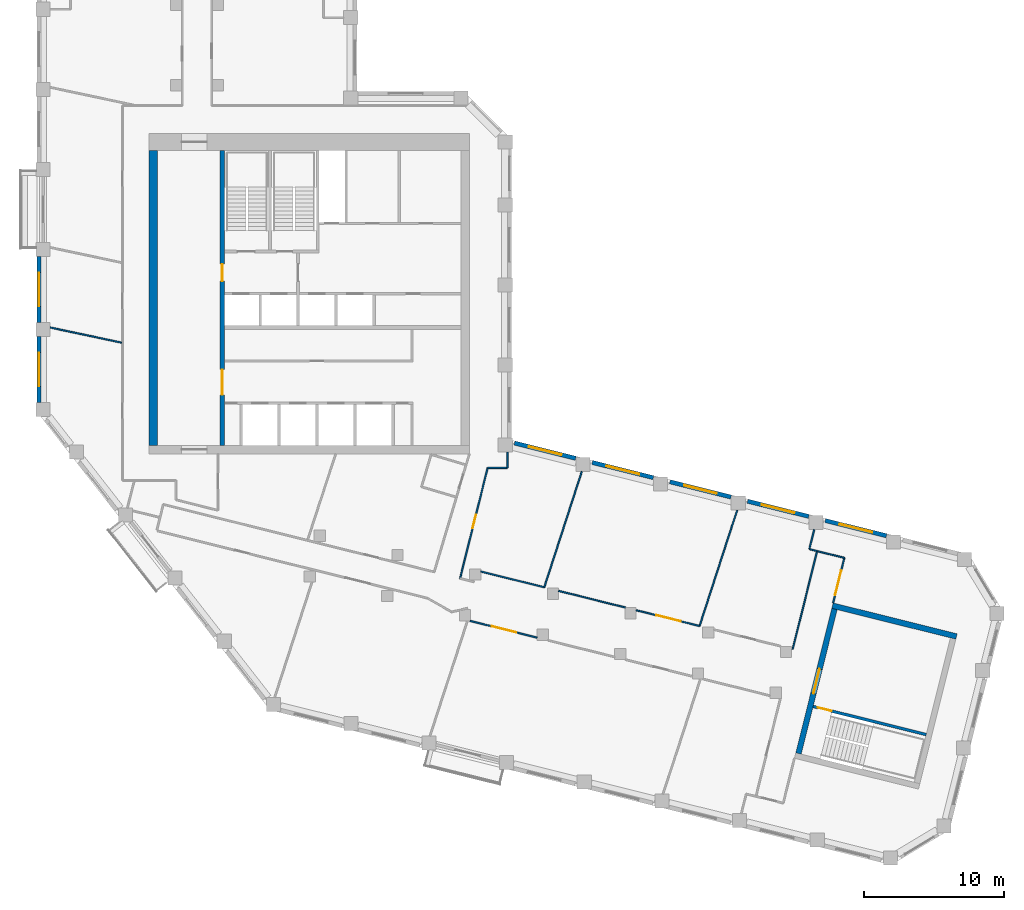
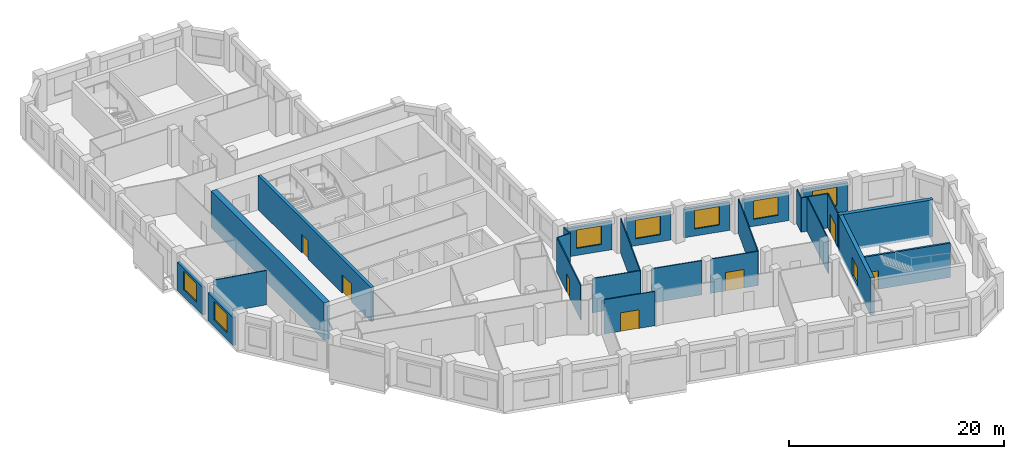
# One storey, part 4 of 9: 27 walls, 8 doors, 7 windows, 15 openings.
"""IFC4 building model written with IfcOpenShell, lengths in metres."""

from ifc_helpers import new_model, si_unit, direction, frame, frame_2d, origin, place, context, subcontext, project, spatial, rectangle, extrude, material, layer, layer_set, type_object, element, fill, save


model = new_model("IFC4")

# Units and contexts
model_context = context("Model", 3, precision=1e-05, world=origin(), true_north=direction((0.0, 1.0)))
body_context = subcontext(model_context, "Body", "Model", "MODEL_VIEW")
ifc_project = project(units=[si_unit("LENGTHUNIT", "METRE"), si_unit("AREAUNIT", "SQUARE_METRE"), si_unit("VOLUMEUNIT", "CUBIC_METRE"), si_unit("PLANEANGLEUNIT", "RADIAN"), si_unit("MASSUNIT", "GRAM", prefix="KILO")], contexts=[model_context])

# Site, building, storey
site_placement = place(None, origin())
site = spatial("IfcSite", under=ifc_project, at=site_placement, CompositionType="ELEMENT")
building_placement = place(site_placement, origin())
building = spatial("IfcBuilding", under=site, at=building_placement, Name="Meshkara Civic Tower", CompositionType="ELEMENT")
storey_placement = place(building_placement, frame((0.0, 0.0, 336.0)))
storey = spatial("IfcBuildingStorey", under=building, at=storey_placement, Name="L77", CompositionType="ELEMENT", Elevation=336.0)

# Wall
ifc_material_1 = material(Name="Concrete C60", Category="concrete")
ifc_layer_1 = layer(ifc_material_1, 0.60009765625)
ifc_layer_set_1 = layer_set([ifc_layer_1], Name="Core ring wall 600 C60")
wall_type_1 = type_object("IfcWallType", Name="Core ring wall 600 C60", PredefinedType="SHEAR", material=ifc_layer_set_1)
wall_1_placement = place(storey_placement, frame((8.300048828125, 14.699951171875, -0.300048828125), z_axis=(0.0, 0.0, 1.0), x_axis=(0.0, 1.0, 0.0)))
element("IfcWall", 1, at=wall_1_placement, inside=storey, type_object=wall_type_1, Name="L77-C003", PredefinedType="SHEAR", context=body_context, shape_type="SweptSolid", body=[
    extrude(rectangle(XDim=21.0, YDim=0.60009765625, at=frame_2d((10.5, 0.0))), origin(), (0.0, 0.0, 1.0), 4.199951171875),
])

# Wall, openings, doors
ifc_material_2 = material(Name="Concrete C60", Category="concrete")
ifc_layer_2 = layer(ifc_material_2, 0.300048828125)
ifc_layer_set_2 = layer_set([ifc_layer_2], Name="Core shear wall 300 C60")
wall_type_2 = type_object("IfcWallType", Name="Core shear wall 300 C60", PredefinedType="SHEAR", material=ifc_layer_set_2)
wall_2_placement = place(storey_placement, frame((13.199951171875, 14.699951171875, 0.0), z_axis=(0.0, 0.0, 1.0), x_axis=(0.0, 1.0, 0.0)))
wall_2 = element("IfcWall", 2, at=wall_2_placement, inside=storey, type_object=wall_type_2, Name="L77-C011", PredefinedType="SHEAR", context=body_context, shape_type="SweptSolid", body=[
    extrude(rectangle(XDim=21.0, YDim=0.300048828125, at=frame_2d((10.5, 0.0))), origin(), (0.0, 0.0, 1.0), 3.89990234375),
])
opening_1_placement = place(wall_2_placement, frame((3.60009765625, 0.0, 0.0)))
opening_1 = element("IfcOpeningElement", 3, at=opening_1_placement, cuts=wall_2, Name="Opening L77-K018", PredefinedType="OPENING", context=body_context, shape_type="SweptSolid", body=[
    extrude(rectangle(XDim=1.800048828125, YDim=2.10009765625, at=frame_2d((0.89990234375, 1.050048828125))), frame((0.0, 0.159912109375, 0.0), z_axis=(0.0, -1.0, 0.0), x_axis=(1.0, 0.0, 0.0)), (0.0, 0.0, 1.0), 0.320068359375),
])
opening_2_placement = place(wall_2_placement, frame((11.699951171875, 0.0, 0.0)))
opening_2 = element("IfcOpeningElement", 4, at=opening_2_placement, cuts=wall_2, Name="Opening L77-K019", PredefinedType="OPENING", context=body_context, shape_type="SweptSolid", body=[
    extrude(rectangle(XDim=1.199951171875, YDim=2.10009765625, at=frame_2d((0.60009765625, 1.050048828125))), frame((0.0, 0.159912109375, 0.0), z_axis=(0.0, -1.0, 0.0), x_axis=(1.0, 0.0, 0.0)), (0.0, 0.0, 1.0), 0.320068359375),
])
ifc_material_3 = material(Name="Fire-rated door leaf in steel frame", Category="steel")
door_type_1 = type_object("IfcDoorType", Name="Core double door 1800 EI 60", OperationType="DOUBLE_DOOR_SINGLE_SWING", PredefinedType="DOOR", material=ifc_material_3)
door_1_placement = place(opening_1_placement, origin())
door_1 = element("IfcDoor", 5, at=door_1_placement, inside=storey, type_object=door_type_1, Name="L77-K018", OperationType="DOUBLE_DOOR_SINGLE_SWING", OverallHeight=2.10009765625, OverallWidth=1.800048828125, PredefinedType="DOOR", context=body_context, shape_type="SweptSolid", body=[
    extrude(rectangle(XDim=1.800048828125, YDim=2.10009765625, at=frame_2d((0.89990234375, 1.050048828125))), frame((0.0, 0.02490234375, 0.0), z_axis=(0.0, -1.0, 0.0), x_axis=(1.0, 0.0, 0.0)), (0.0, 0.0, 1.0), 0.050048828125),
])
fill(opening_1, door_1)
ifc_material_4 = material(Name="Fire-rated door leaf in steel frame", Category="steel")
door_type_2 = type_object("IfcDoorType", Name="Fire-fighting lobby door 1200 EI 120", OperationType="SINGLE_SWING_LEFT", PredefinedType="DOOR", material=ifc_material_4)
door_2_placement = place(opening_2_placement, origin())
door_2 = element("IfcDoor", 6, at=door_2_placement, inside=storey, type_object=door_type_2, Name="L77-K019", OperationType="SINGLE_SWING_LEFT", OverallHeight=2.10009765625, OverallWidth=1.199951171875, PredefinedType="DOOR", context=body_context, shape_type="SweptSolid", body=[
    extrude(rectangle(XDim=1.199951171875, YDim=2.10009765625, at=frame_2d((0.60009765625, 1.050048828125))), frame((0.0, 0.02490234375, 0.0), z_axis=(0.0, -1.0, 0.0), x_axis=(1.0, 0.0, 0.0)), (0.0, 0.0, 1.0), 0.050048828125),
])
fill(opening_2, door_2)

# Wall, opening, door
ifc_material_5 = material(Name="Corridor wall 100")
ifc_layer_3 = layer(ifc_material_5, 0.10009765625)
ifc_layer_set_3 = layer_set([ifc_layer_3], Name="Corridor wall 100")
wall_type_3 = type_object("IfcWallType", Name="Corridor wall 100", PredefinedType="PARTITIONING", material=ifc_layer_set_3)
wall_3_placement = place(storey_placement, frame((30.134033203125, 5.22998046875, 0.0), z_axis=(0.0, 0.0, 1.0), x_axis=(0.24199734369, 0.970276911839, 0.0)))
wall_3 = element("IfcWall", 7, at=wall_3_placement, inside=storey, type_object=wall_type_3, Name="L77-W021", PredefinedType="PARTITIONING", context=body_context, shape_type="SweptSolid", body=[
    extrude(rectangle(XDim=8.111328125, YDim=0.10009765625, at=frame_2d((4.0556640625, 0.0))), origin(), (0.0, 0.0, 1.0), 3.89990234375),
])
opening_3_placement = place(wall_3_placement, frame((3.679931640625, 0.0, 0.0)))
opening_3 = element("IfcOpeningElement", 8, at=opening_3_placement, cuts=wall_3, Name="Opening L77-D011", PredefinedType="OPENING", context=body_context, shape_type="SweptSolid", body=[
    extrude(rectangle(XDim=1.0, YDim=2.10009765625, at=frame_2d((0.5, 1.050048828125))), frame((0.0, 0.06005859375, 0.0), z_axis=(0.0, -1.0, 0.0), x_axis=(1.0, 0.0, 0.0)), (0.0, 0.0, 1.0), 0.1201171875),
])
ifc_material_6 = material(Name="Door 1000 x 2100")
door_type_3 = type_object("IfcDoorType", Name="Door 1000 x 2100", OperationType="SINGLE_SWING_LEFT", PredefinedType="DOOR", material=ifc_material_6)
door_3_placement = place(opening_3_placement, origin())
door_3 = element("IfcDoor", 9, at=door_3_placement, inside=storey, type_object=door_type_3, Name="L77-D011", OperationType="SINGLE_SWING_LEFT", OverallHeight=2.10009765625, OverallWidth=1.0, PredefinedType="DOOR", context=body_context, shape_type="SweptSolid", body=[
    extrude(rectangle(XDim=1.0, YDim=2.10009765625, at=frame_2d((0.5, 1.050048828125))), frame((0.0, 0.02490234375, 0.0), z_axis=(0.0, -1.0, 0.0), x_axis=(1.0, 0.0, 0.0)), (0.0, 0.0, 1.0), 0.050048828125),
])
fill(opening_3, door_3)

wall_4_placement = place(storey_placement, frame((30.84912109375, 2.201904296875, 0.0), z_axis=(0.0, 0.0, 1.0), x_axis=(0.970320559999, -0.241822271189, 0.0)))
wall_4 = element("IfcWall", 10, at=wall_4_placement, inside=storey, type_object=wall_type_3, Name="L77-W023", PredefinedType="PARTITIONING", context=body_context, shape_type="SweptSolid", body=[
    extrude(rectangle(XDim=4.91259765625, YDim=0.10009765625, at=frame_2d((2.456298828125, 0.0))), origin(), (0.0, 0.0, 1.0), 3.89990234375),
])
opening_4_placement = place(wall_4_placement, frame((1.580078125, 0.0, 0.0)))
opening_4 = element("IfcOpeningElement", 11, at=opening_4_placement, cuts=wall_4, Name="Opening L77-D005", PredefinedType="OPENING", context=body_context, shape_type="SweptSolid", body=[
    extrude(rectangle(XDim=1.800048828125, YDim=2.10009765625, at=frame_2d((0.89990234375, 1.050048828125))), frame((0.0, 0.06005859375, 0.0), z_axis=(0.0, -1.0, 0.0), x_axis=(1.0, 0.0, 0.0)), (0.0, 0.0, 1.0), 0.1201171875),
])
ifc_material_7 = material(Name="Door pair 1800 x 2100")
door_type_4 = type_object("IfcDoorType", Name="Door pair 1800 x 2100", OperationType="SINGLE_SWING_LEFT", PredefinedType="DOOR", material=ifc_material_7)
door_4_placement = place(opening_4_placement, origin())
door_4 = element("IfcDoor", 12, at=door_4_placement, inside=storey, type_object=door_type_4, Name="L77-D005", OperationType="DOUBLE_DOOR_SINGLE_SWING", OverallHeight=2.10009765625, OverallWidth=1.800048828125, PredefinedType="DOOR", context=body_context, shape_type="SweptSolid", body=[
    extrude(rectangle(XDim=1.800048828125, YDim=2.10009765625, at=frame_2d((0.89990234375, 1.050048828125))), frame((0.0, 0.02490234375, 0.0), z_axis=(0.0, -1.0, 0.0), x_axis=(1.0, 0.0, 0.0)), (0.0, 0.0, 1.0), 0.050048828125),
])
fill(opening_4, door_4)

# Walls
wall_5_placement = place(storey_placement, frame((32.096923828125, 13.10009765625, 0.0), z_axis=(0.0, 0.0, 1.0), x_axis=(1.0, 0.0, 0.0)))
element("IfcWall", 13, at=wall_5_placement, inside=storey, type_object=wall_type_3, Name="L77-W026", PredefinedType="PARTITIONING", context=body_context, shape_type="SweptSolid", body=[
    extrude(rectangle(XDim=1.403076171875, YDim=0.10009765625, at=frame_2d((0.70166015625, 0.0))), origin(), (0.0, 0.0, 1.0), 3.89990234375),
])
wall_6_placement = place(storey_placement, frame((33.5, 13.10009765625, 0.0), z_axis=(0.0, 0.0, 1.0), x_axis=(0.0, 1.0, 0.0)))
element("IfcWall", 14, at=wall_6_placement, inside=storey, type_object=wall_type_3, Name="L77-W027", PredefinedType="PARTITIONING", context=body_context, shape_type="SweptSolid", body=[
    extrude(rectangle(XDim=1.118896484375, YDim=0.10009765625, at=frame_2d((0.5595703125, 0.0))), origin(), (0.0, 0.0, 1.0), 3.89990234375),
])
wall_7_placement = place(storey_placement, frame((36.1240234375, 4.596923828125, 0.0), z_axis=(0.0, 0.0, 1.0), x_axis=(-0.970305929364, 0.241880969571, 0.0)))
element("IfcWall", 15, at=wall_7_placement, inside=storey, type_object=wall_type_3, Name="L77-W028", PredefinedType="PARTITIONING", context=body_context, shape_type="SweptSolid", body=[
    extrude(rectangle(XDim=4.651123046875, YDim=0.10009765625, at=frame_2d((2.32568359375, 0.0))), origin(), (0.0, 0.0, 1.0), 3.89990234375),
])
wall_8_placement = place(storey_placement, frame((41.907958984375, 3.155029296875, 0.0), z_axis=(0.0, 0.0, 1.0), x_axis=(-0.970308932068, 0.2418689239, 0.0)))
element("IfcWall", 16, at=wall_8_placement, inside=storey, type_object=wall_type_3, Name="L77-W031", PredefinedType="PARTITIONING", context=body_context, shape_type="SweptSolid", body=[
    extrude(rectangle(XDim=4.91162109375, YDim=0.10009765625, at=frame_2d((2.455810546875, 0.0))), origin(), (0.0, 0.0, 1.0), 3.89990234375),
])

# Wall, opening, door
wall_9_placement = place(storey_placement, frame((47.18603515625, 1.839111328125, 0.0), z_axis=(0.0, 0.0, 1.0), x_axis=(-0.970318209974, 0.241831700555, 0.0)))
wall_9 = element("IfcWall", 17, at=wall_9_placement, inside=storey, type_object=wall_type_3, Name="L77-W032", PredefinedType="PARTITIONING", context=body_context, shape_type="SweptSolid", body=[
    extrude(rectangle(XDim=4.652099609375, YDim=0.10009765625, at=frame_2d((2.326171875, 0.0))), origin(), (0.0, 0.0, 1.0), 3.89990234375),
])
opening_5_placement = place(wall_9_placement, frame((1.3798828125, 0.0, 0.0)))
opening_5 = element("IfcOpeningElement", 18, at=opening_5_placement, cuts=wall_9, Name="Opening L77-D006", PredefinedType="OPENING", context=body_context, shape_type="SweptSolid", body=[
    extrude(rectangle(XDim=1.800048828125, YDim=2.10009765625, at=frame_2d((0.89990234375, 1.050048828125))), frame((0.0, 0.06005859375, 0.0), z_axis=(0.0, -1.0, 0.0), x_axis=(1.0, 0.0, 0.0)), (0.0, 0.0, 1.0), 0.1201171875),
])
door_5_placement = place(opening_5_placement, origin())
door_5 = element("IfcDoor", 19, at=door_5_placement, inside=storey, type_object=door_type_4, Name="L77-D006", OperationType="DOUBLE_DOOR_SINGLE_SWING", OverallHeight=2.10009765625, OverallWidth=1.800048828125, PredefinedType="DOOR", context=body_context, shape_type="SweptSolid", body=[
    extrude(rectangle(XDim=1.800048828125, YDim=2.10009765625, at=frame_2d((0.89990234375, 1.050048828125))), frame((0.0, 0.02490234375, 0.0), z_axis=(0.0, -1.0, 0.0), x_axis=(1.0, 0.0, 0.0)), (0.0, 0.0, 1.0), 0.050048828125),
])
fill(opening_5, door_5)

# Wall
wall_10_placement = place(storey_placement, frame((55.555908203125, 7.173095703125, 0.0), z_axis=(0.0, 0.0, 1.0), x_axis=(-0.241937193493, -0.970291911955, 0.0)))
element("IfcWall", 20, at=wall_10_placement, inside=storey, type_object=wall_type_3, Name="L77-W038", PredefinedType="PARTITIONING", context=body_context, shape_type="SweptSolid", body=[
    extrude(rectangle(XDim=7.199951171875, YDim=0.10009765625, at=frame_2d((3.60009765625, 0.0))), origin(), (0.0, 0.0, 1.0), 3.89990234375),
])

# Wall, opening, door
wall_11_placement = place(storey_placement, frame((56.697998046875, 3.487060546875, 0.0), z_axis=(0.0, 0.0, 1.0), x_axis=(0.241856645367, 0.970311992656, 0.0)))
wall_11 = element("IfcWall", 21, at=wall_11_placement, inside=storey, type_object=wall_type_3, Name="L77-W039", PredefinedType="PARTITIONING", context=body_context, shape_type="SweptSolid", body=[
    extrude(rectangle(XDim=3.2998046875, YDim=0.10009765625, at=frame_2d((1.64990234375, 0.0))), origin(), (0.0, 0.0, 1.0), 3.89990234375),
])
opening_6_placement = place(wall_11_placement, frame((0.580078125, 0.0, 0.0)))
opening_6 = element("IfcOpeningElement", 22, at=opening_6_placement, cuts=wall_11, Name="Opening L77-D008", PredefinedType="OPENING", context=body_context, shape_type="SweptSolid", body=[
    extrude(rectangle(XDim=1.800048828125, YDim=2.10009765625, at=frame_2d((0.89990234375, 1.050048828125))), frame((0.0, 0.06005859375, 0.0), z_axis=(0.0, -1.0, 0.0), x_axis=(1.0, 0.0, 0.0)), (0.0, 0.0, 1.0), 0.1201171875),
])
door_6_placement = place(opening_6_placement, origin())
door_6 = element("IfcDoor", 23, at=door_6_placement, inside=storey, type_object=door_type_4, Name="L77-D008", OperationType="DOUBLE_DOOR_SINGLE_SWING", OverallHeight=2.10009765625, OverallWidth=1.800048828125, PredefinedType="DOOR", context=body_context, shape_type="SweptSolid", body=[
    extrude(rectangle(XDim=1.800048828125, YDim=2.10009765625, at=frame_2d((0.89990234375, 1.050048828125))), frame((0.0, 0.02490234375, 0.0), z_axis=(0.0, -1.0, 0.0), x_axis=(1.0, 0.0, 0.0)), (0.0, 0.0, 1.0), 0.050048828125),
])
fill(opening_6, door_6)

# Wall
wall_12_placement = place(storey_placement, frame((57.49609375, 6.68896484375, 0.0), z_axis=(0.0, 0.0, 1.0), x_axis=(-0.970250131019, 0.242104694829, 0.0)))
element("IfcWall", 24, at=wall_12_placement, inside=storey, type_object=wall_type_3, Name="L77-W040", PredefinedType="PARTITIONING", context=body_context, shape_type="SweptSolid", body=[
    extrude(rectangle(XDim=1.999755859375, YDim=0.10009765625, at=frame_2d((1.0, 0.0))), origin(), (0.0, 0.0, 1.0), 3.89990234375),
])

# Wall, opening, window
ifc_material_8 = material(Name="Insulated infill panel with bronze anodised aluminium cladding", Category="aluminium")
ifc_layer_4 = layer(ifc_material_8, 0.300048828125)
ifc_layer_set_4 = layer_set([ifc_layer_4], Name="EXTERNAL INFILL WALL 300")
wall_type_4 = type_object("IfcWallType", Name="EXTERNAL INFILL WALL 300", PredefinedType="SOLIDWALL", material=ifc_layer_set_4)
wall_13_placement = place(storey_placement, frame((60.488037109375, 8.261962890625, 0.0), z_axis=(0.0, 0.0, 1.0), x_axis=(-0.970276766004, 0.241997928406, 0.0)))
wall_13 = element("IfcWall", 25, at=wall_13_placement, inside=storey, type_object=wall_type_4, Name="External wall", PredefinedType="SOLIDWALL", context=body_context, shape_type="SweptSolid", body=[
    extrude(rectangle(XDim=4.4873046875, YDim=0.300048828125, at=frame_2d((2.24365234375, 0.0))), origin(), (0.0, 0.0, 1.0), 3.199951171875),
])
opening_7_placement = place(wall_13_placement, frame((1.0439453125, 0.0, 0.800048828125)))
opening_7 = element("IfcOpeningElement", 26, at=opening_7_placement, cuts=wall_13, Name="Opening W7", PredefinedType="OPENING", context=body_context, shape_type="SweptSolid", body=[
    extrude(rectangle(XDim=2.39990234375, YDim=2.10009765625, at=frame_2d((1.199951171875, 1.050048828125))), frame((0.0, 0.159912109375, 0.0), z_axis=(0.0, -1.0, 0.0), x_axis=(1.0, 0.0, 0.0)), (0.0, 0.0, 1.0), 0.320068359375),
])
ifc_material_9 = material(Name="Tinted double glazing", Category="glass")
window_type = type_object("IfcWindowType", Name="WINDOW 2400x2100", PartitioningType="DOUBLE_PANEL_VERTICAL", PredefinedType="WINDOW", material=ifc_material_9)
window_1_placement = place(opening_7_placement, origin())
window_1 = element("IfcWindow", 27, at=window_1_placement, inside=storey, type_object=window_type, Name="Window", OverallHeight=2.10009765625, OverallWidth=2.39990234375, PartitioningType="DOUBLE_PANEL_VERTICAL", PredefinedType="WINDOW", context=body_context, shape_type="SweptSolid", body=[
    extrude(rectangle(XDim=2.39990234375, YDim=2.10009765625, at=frame_2d((1.199951171875, 1.050048828125))), frame((0.0, 0.030029296875, 0.0), z_axis=(0.0, -1.0, 0.0), x_axis=(1.0, 0.0, 0.0)), (0.0, 0.0, 1.0), 0.06005859375),
])
fill(opening_7, window_1)

wall_14_placement = place(storey_placement, frame((54.9580078125, 9.64111328125, 0.0), z_axis=(0.0, 0.0, 1.0), x_axis=(-0.970289506684, 0.241946839653, 0.0)))
wall_14 = element("IfcWall", 28, at=wall_14_placement, inside=storey, type_object=wall_type_4, Name="External wall", PredefinedType="SOLIDWALL", context=body_context, shape_type="SweptSolid", body=[
    extrude(rectangle(XDim=4.48828125, YDim=0.300048828125, at=frame_2d((2.244140625, 0.0))), origin(), (0.0, 0.0, 1.0), 3.199951171875),
])
opening_8_placement = place(wall_14_placement, frame((1.0439453125, 0.0, 0.800048828125)))
opening_8 = element("IfcOpeningElement", 29, at=opening_8_placement, cuts=wall_14, Name="Opening W7", PredefinedType="OPENING", context=body_context, shape_type="SweptSolid", body=[
    extrude(rectangle(XDim=2.39990234375, YDim=2.10009765625, at=frame_2d((1.199951171875, 1.050048828125))), frame((0.0, 0.159912109375, 0.0), z_axis=(0.0, -1.0, 0.0), x_axis=(1.0, 0.0, 0.0)), (0.0, 0.0, 1.0), 0.320068359375),
])
window_2_placement = place(opening_8_placement, origin())
window_2 = element("IfcWindow", 30, at=window_2_placement, inside=storey, type_object=window_type, Name="Window", OverallHeight=2.10009765625, OverallWidth=2.39990234375, PartitioningType="DOUBLE_PANEL_VERTICAL", PredefinedType="WINDOW", context=body_context, shape_type="SweptSolid", body=[
    extrude(rectangle(XDim=2.39990234375, YDim=2.10009765625, at=frame_2d((1.199951171875, 1.050048828125))), frame((0.0, 0.030029296875, 0.0), z_axis=(0.0, -1.0, 0.0), x_axis=(1.0, 0.0, 0.0)), (0.0, 0.0, 1.0), 0.06005859375),
])
fill(opening_8, window_2)

wall_15_placement = place(storey_placement, frame((49.427001953125, 11.02001953125, 0.0), z_axis=(0.0, 0.0, 1.0), x_axis=(-0.970289506684, 0.241946839653, 0.0)))
wall_15 = element("IfcWall", 31, at=wall_15_placement, inside=storey, type_object=wall_type_4, Name="External wall", PredefinedType="SOLIDWALL", context=body_context, shape_type="SweptSolid", body=[
    extrude(rectangle(XDim=4.48828125, YDim=0.300048828125, at=frame_2d((2.244140625, 0.0))), origin(), (0.0, 0.0, 1.0), 3.199951171875),
])
opening_9_placement = place(wall_15_placement, frame((1.0439453125, 0.0, 0.800048828125)))
opening_9 = element("IfcOpeningElement", 32, at=opening_9_placement, cuts=wall_15, Name="Opening W7", PredefinedType="OPENING", context=body_context, shape_type="SweptSolid", body=[
    extrude(rectangle(XDim=2.39990234375, YDim=2.10009765625, at=frame_2d((1.199951171875, 1.050048828125))), frame((0.0, 0.159912109375, 0.0), z_axis=(0.0, -1.0, 0.0), x_axis=(1.0, 0.0, 0.0)), (0.0, 0.0, 1.0), 0.320068359375),
])
window_3_placement = place(opening_9_placement, origin())
window_3 = element("IfcWindow", 33, at=window_3_placement, inside=storey, type_object=window_type, Name="Window", OverallHeight=2.10009765625, OverallWidth=2.39990234375, PartitioningType="DOUBLE_PANEL_VERTICAL", PredefinedType="WINDOW", context=body_context, shape_type="SweptSolid", body=[
    extrude(rectangle(XDim=2.39990234375, YDim=2.10009765625, at=frame_2d((1.199951171875, 1.050048828125))), frame((0.0, 0.030029296875, 0.0), z_axis=(0.0, -1.0, 0.0), x_axis=(1.0, 0.0, 0.0)), (0.0, 0.0, 1.0), 0.06005859375),
])
fill(opening_9, window_3)

wall_16_placement = place(storey_placement, frame((43.89599609375, 12.39892578125, 0.0), z_axis=(0.0, 0.0, 1.0), x_axis=(-0.970263990019, 0.242049147224, 0.0)))
wall_16 = element("IfcWall", 34, at=wall_16_placement, inside=storey, type_object=wall_type_4, Name="External wall", PredefinedType="SOLIDWALL", context=body_context, shape_type="SweptSolid", body=[
    extrude(rectangle(XDim=4.487548828125, YDim=0.300048828125, at=frame_2d((2.24365234375, 0.0))), origin(), (0.0, 0.0, 1.0), 3.199951171875),
])
opening_10_placement = place(wall_16_placement, frame((1.0439453125, 0.0, 0.800048828125)))
opening_10 = element("IfcOpeningElement", 35, at=opening_10_placement, cuts=wall_16, Name="Opening W7", PredefinedType="OPENING", context=body_context, shape_type="SweptSolid", body=[
    extrude(rectangle(XDim=2.39990234375, YDim=2.10009765625, at=frame_2d((1.199951171875, 1.050048828125))), frame((0.0, 0.159912109375, 0.0), z_axis=(0.0, -1.0, 0.0), x_axis=(1.0, 0.0, 0.0)), (0.0, 0.0, 1.0), 0.320068359375),
])
window_4_placement = place(opening_10_placement, origin())
window_4 = element("IfcWindow", 36, at=window_4_placement, inside=storey, type_object=window_type, Name="Window", OverallHeight=2.10009765625, OverallWidth=2.39990234375, PartitioningType="DOUBLE_PANEL_VERTICAL", PredefinedType="WINDOW", context=body_context, shape_type="SweptSolid", body=[
    extrude(rectangle(XDim=2.39990234375, YDim=2.10009765625, at=frame_2d((1.199951171875, 1.050048828125))), frame((0.0, 0.030029296875, 0.0), z_axis=(0.0, -1.0, 0.0), x_axis=(1.0, 0.0, 0.0)), (0.0, 0.0, 1.0), 0.06005859375),
])
fill(opening_10, window_4)

wall_17_placement = place(storey_placement, frame((38.365966796875, 13.778076171875, 0.0), z_axis=(0.0, 0.0, 1.0), x_axis=(-0.970289506684, 0.241946839653, 0.0)))
wall_17 = element("IfcWall", 37, at=wall_17_placement, inside=storey, type_object=wall_type_4, Name="External wall", PredefinedType="SOLIDWALL", context=body_context, shape_type="SweptSolid", body=[
    extrude(rectangle(XDim=4.48828125, YDim=0.300048828125, at=frame_2d((2.244140625, 0.0))), origin(), (0.0, 0.0, 1.0), 3.199951171875),
])
opening_11_placement = place(wall_17_placement, frame((1.0439453125, 0.0, 0.800048828125)))
opening_11 = element("IfcOpeningElement", 38, at=opening_11_placement, cuts=wall_17, Name="Opening W7", PredefinedType="OPENING", context=body_context, shape_type="SweptSolid", body=[
    extrude(rectangle(XDim=2.39990234375, YDim=2.10009765625, at=frame_2d((1.199951171875, 1.050048828125))), frame((0.0, 0.159912109375, 0.0), z_axis=(0.0, -1.0, 0.0), x_axis=(1.0, 0.0, 0.0)), (0.0, 0.0, 1.0), 0.320068359375),
])
window_5_placement = place(opening_11_placement, origin())
window_5 = element("IfcWindow", 39, at=window_5_placement, inside=storey, type_object=window_type, Name="Window", OverallHeight=2.10009765625, OverallWidth=2.39990234375, PartitioningType="DOUBLE_PANEL_VERTICAL", PredefinedType="WINDOW", context=body_context, shape_type="SweptSolid", body=[
    extrude(rectangle(XDim=2.39990234375, YDim=2.10009765625, at=frame_2d((1.199951171875, 1.050048828125))), frame((0.0, 0.030029296875, 0.0), z_axis=(0.0, -1.0, 0.0), x_axis=(1.0, 0.0, 0.0)), (0.0, 0.0, 1.0), 0.06005859375),
])
fill(opening_11, window_5)

wall_18_placement = place(storey_placement, frame((0.14990234375, 28.155029296875, 0.0), z_axis=(0.0, 0.0, 1.0), x_axis=(0.0, -1.0, 0.0)))
wall_18 = element("IfcWall", 40, at=wall_18_placement, inside=storey, type_object=wall_type_4, Name="External wall", PredefinedType="SOLIDWALL", context=body_context, shape_type="SweptSolid", body=[
    extrude(rectangle(XDim=4.699951171875, YDim=0.300048828125, at=frame_2d((2.35009765625, 0.0))), origin(), (0.0, 0.0, 1.0), 3.199951171875),
])
opening_12_placement = place(wall_18_placement, frame((1.14990234375, 0.0, 0.800048828125)))
opening_12 = element("IfcOpeningElement", 41, at=opening_12_placement, cuts=wall_18, Name="Opening W7", PredefinedType="OPENING", context=body_context, shape_type="SweptSolid", body=[
    extrude(rectangle(XDim=2.39990234375, YDim=2.10009765625, at=frame_2d((1.199951171875, 1.050048828125))), frame((0.0, 0.159912109375, 0.0), z_axis=(0.0, -1.0, 0.0), x_axis=(1.0, 0.0, 0.0)), (0.0, 0.0, 1.0), 0.320068359375),
])
window_6_placement = place(opening_12_placement, origin())
window_6 = element("IfcWindow", 42, at=window_6_placement, inside=storey, type_object=window_type, Name="Window", OverallHeight=2.10009765625, OverallWidth=2.39990234375, PartitioningType="DOUBLE_PANEL_VERTICAL", PredefinedType="WINDOW", context=body_context, shape_type="SweptSolid", body=[
    extrude(rectangle(XDim=2.39990234375, YDim=2.10009765625, at=frame_2d((1.199951171875, 1.050048828125))), frame((0.0, 0.030029296875, 0.0), z_axis=(0.0, -1.0, 0.0), x_axis=(1.0, 0.0, 0.0)), (0.0, 0.0, 1.0), 0.06005859375),
])
fill(opening_12, window_6)

wall_19_placement = place(storey_placement, frame((0.14990234375, 22.455078125, 0.0), z_axis=(0.0, 0.0, 1.0), x_axis=(0.0, -1.0, 0.0)))
wall_19 = element("IfcWall", 43, at=wall_19_placement, inside=storey, type_object=wall_type_4, Name="External wall", PredefinedType="SOLIDWALL", context=body_context, shape_type="SweptSolid", body=[
    extrude(rectangle(XDim=4.7001953125, YDim=0.300048828125, at=frame_2d((2.35009765625, 0.0))), origin(), (0.0, 0.0, 1.0), 3.199951171875),
])
opening_13_placement = place(wall_19_placement, frame((1.14990234375, 0.0, 0.800048828125)))
opening_13 = element("IfcOpeningElement", 44, at=opening_13_placement, cuts=wall_19, Name="Opening W7", PredefinedType="OPENING", context=body_context, shape_type="SweptSolid", body=[
    extrude(rectangle(XDim=2.39990234375, YDim=2.10009765625, at=frame_2d((1.199951171875, 1.050048828125))), frame((0.0, 0.159912109375, 0.0), z_axis=(0.0, -1.0, 0.0), x_axis=(1.0, 0.0, 0.0)), (0.0, 0.0, 1.0), 0.320068359375),
])
window_7_placement = place(opening_13_placement, origin())
window_7 = element("IfcWindow", 45, at=window_7_placement, inside=storey, type_object=window_type, Name="Window", OverallHeight=2.10009765625, OverallWidth=2.39990234375, PartitioningType="DOUBLE_PANEL_VERTICAL", PredefinedType="WINDOW", context=body_context, shape_type="SweptSolid", body=[
    extrude(rectangle(XDim=2.39990234375, YDim=2.10009765625, at=frame_2d((1.199951171875, 1.050048828125))), frame((0.0, 0.030029296875, 0.0), z_axis=(0.0, -1.0, 0.0), x_axis=(1.0, 0.0, 0.0)), (0.0, 0.0, 1.0), 0.06005859375),
])
fill(opening_13, window_7)

# Wall
ifc_material_10 = material(Name="Concrete C60", Category="concrete")
ifc_layer_5 = layer(ifc_material_10, 0.39990234375)
ifc_layer_set_5 = layer_set([ifc_layer_5], Name="End core ring wall 400 C60")
wall_type_5 = type_object("IfcWallType", Name="End core ring wall 400 C60", PredefinedType="SHEAR", material=ifc_layer_set_5)
wall_20_placement = place(storey_placement, frame((56.64892578125, 3.29296875, -0.300048828125), z_axis=(0.0, 0.0, 1.0), x_axis=(0.970312696888, -0.241853820019, 0.0)))
element("IfcWall", 46, at=wall_20_placement, inside=storey, type_object=wall_type_5, Name="L77-C033", PredefinedType="SHEAR", context=body_context, shape_type="SweptSolid", body=[
    extrude(rectangle(XDim=9.100341796875, YDim=0.39990234375, at=frame_2d((4.55029296875, 0.0))), origin(), (0.0, 0.0, 1.0), 4.199951171875),
])

# Wall, opening, door
wall_21_placement = place(storey_placement, frame((54.23095703125, -7.23388671875, -0.300048828125), z_axis=(0.0, 0.0, 1.0), x_axis=(0.241890652548, 0.970303515509, 0.0)))
wall_21 = element("IfcWall", 47, at=wall_21_placement, inside=storey, type_object=wall_type_5, Name="L77-C034", PredefinedType="SHEAR", context=body_context, shape_type="SweptSolid", body=[
    extrude(rectangle(XDim=10.599609375, YDim=0.39990234375, at=frame_2d((5.2998046875, 0.0))), origin(), (0.0, 0.0, 1.0), 4.199951171875),
])
opening_14_placement = place(wall_21_placement, frame((4.39990234375, 0.0, 0.300048828125)))
opening_14 = element("IfcOpeningElement", 48, at=opening_14_placement, cuts=wall_21, Name="Opening L77-K202", PredefinedType="OPENING", context=body_context, shape_type="SweptSolid", body=[
    extrude(rectangle(XDim=1.800048828125, YDim=2.10009765625, at=frame_2d((0.89990234375, 1.050048828125))), frame((0.0, 0.2099609375, 0.0), z_axis=(0.0, -1.0, 0.0), x_axis=(1.0, 0.0, 0.0)), (0.0, 0.0, 1.0), 0.419921875),
])
door_7_placement = place(opening_14_placement, origin())
door_7 = element("IfcDoor", 49, at=door_7_placement, inside=storey, type_object=door_type_1, Name="L77-K202", OperationType="DOUBLE_DOOR_SINGLE_SWING", OverallHeight=2.10009765625, OverallWidth=1.800048828125, PredefinedType="DOOR", context=body_context, shape_type="SweptSolid", body=[
    extrude(rectangle(XDim=1.800048828125, YDim=2.10009765625, at=frame_2d((0.89990234375, 1.050048828125))), frame((0.0, 0.02490234375, 0.0), z_axis=(0.0, -1.0, 0.0), x_axis=(1.0, 0.0, 0.0)), (0.0, 0.0, 1.0), 0.050048828125),
])
fill(opening_14, door_7)

# Walls
ifc_material_11 = material(Name="Partition 100")
ifc_layer_6 = layer(ifc_material_11, 0.10009765625)
ifc_layer_set_6 = layer_set([ifc_layer_6], Name="Partition 100")
wall_type_6 = type_object("IfcWallType", Name="Partition 100", PredefinedType="PARTITIONING", material=ifc_layer_set_6)
wall_22_placement = place(storey_placement, frame((6.0400390625, 22.011962890625, 0.0), z_axis=(0.0, 0.0, 1.0), x_axis=(-0.978143705428, 0.207930015946, 0.0)))
element("IfcWall", 50, at=wall_22_placement, inside=storey, type_object=wall_type_6, Name="L77-W043", PredefinedType="PARTITIONING", context=body_context, shape_type="SweptSolid", body=[
    extrude(rectangle(XDim=5.203857421875, YDim=0.10009765625, at=frame_2d((2.60205078125, 0.0))), origin(), (0.0, 0.0, 1.0), 3.89990234375),
])
wall_23_placement = place(storey_placement, frame((36.1240234375, 4.596923828125, 0.0), z_axis=(0.0, 0.0, 1.0), x_axis=(0.308976518606, 0.951069666717, 0.0)))
element("IfcWall", 51, at=wall_23_placement, inside=storey, type_object=wall_type_6, Name="L77-W056", PredefinedType="PARTITIONING", context=body_context, shape_type="SweptSolid", body=[
    extrude(rectangle(XDim=8.667236328125, YDim=0.10009765625, at=frame_2d((4.33349609375, 0.0))), origin(), (0.0, 0.0, 1.0), 3.89990234375),
])
wall_24_placement = place(storey_placement, frame((47.18603515625, 1.839111328125, 0.0), z_axis=(0.0, 0.0, 1.0), x_axis=(0.30898479626, 0.951066977494, 0.0)))
element("IfcWall", 52, at=wall_24_placement, inside=storey, type_object=wall_type_6, Name="L77-W058", PredefinedType="PARTITIONING", context=body_context, shape_type="SweptSolid", body=[
    extrude(rectangle(XDim=8.6669921875, YDim=0.10009765625, at=frame_2d((4.33349609375, 0.0))), origin(), (0.0, 0.0, 1.0), 3.89990234375),
])
wall_25_placement = place(storey_placement, frame((55.0009765625, 7.31103515625, 0.0), z_axis=(0.0, 0.0, 1.0), x_axis=(0.24185476373, 0.970312461664, 0.0)))
element("IfcWall", 53, at=wall_25_placement, inside=storey, type_object=wall_type_6, Name="L77-W061", PredefinedType="PARTITIONING", context=body_context, shape_type="SweptSolid", body=[
    extrude(rectangle(XDim=1.434326171875, YDim=0.10009765625, at=frame_2d((0.71728515625, 0.0))), origin(), (0.0, 0.0, 1.0), 3.89990234375),
])
wall_26_placement = place(storey_placement, frame((55.56005859375, 7.172119140625, 0.0), z_axis=(0.0, 0.0, 1.0), x_axis=(-0.970490503334, 0.241139343405, 0.0)))
element("IfcWall", 54, at=wall_26_placement, inside=storey, type_object=wall_type_6, Name="L77-W062", PredefinedType="PARTITIONING", context=body_context, shape_type="SweptSolid", body=[
    extrude(rectangle(XDim=0.576171875, YDim=0.10009765625, at=frame_2d((0.2880859375, 0.0))), origin(), (0.0, 0.0, 1.0), 3.89990234375),
])

# Wall, opening, door
ifc_material_12 = material(Name="Concrete C40/50", Category="concrete")
ifc_layer_7 = layer(ifc_material_12, 0.199951171875)
ifc_layer_set_7 = layer_set([ifc_layer_7], Name="Stair enclosure wall 200 C40/50")
wall_type_7 = type_object("IfcWallType", Name="Stair enclosure wall 200 C40/50", PredefinedType="SOLIDWALL", material=ifc_layer_set_7)
wall_27_placement = place(storey_placement, frame((55.27099609375, -3.886962890625, 0.0), z_axis=(0.0, 0.0, 1.0), x_axis=(0.970296288869, -0.241919639151, 0.0)))
wall_27 = element("IfcWall", 55, at=wall_27_placement, inside=storey, type_object=wall_type_7, Name="L77-C036", PredefinedType="SOLIDWALL", context=body_context, shape_type="SweptSolid", body=[
    extrude(rectangle(XDim=8.300537109375, YDim=0.199951171875, at=frame_2d((4.150390625, 0.0))), origin(), (0.0, 0.0, 1.0), 3.89990234375),
])
opening_15_placement = place(wall_27_placement, frame((0.35009765625, 0.0, 0.0)))
opening_15 = element("IfcOpeningElement", 56, at=opening_15_placement, cuts=wall_27, Name="Opening L77-K201", PredefinedType="OPENING", context=body_context, shape_type="SweptSolid", body=[
    extrude(rectangle(XDim=1.0, YDim=2.10009765625, at=frame_2d((0.5, 1.050048828125))), frame((0.0, 0.10986328125, 0.0), z_axis=(0.0, -1.0, 0.0), x_axis=(1.0, 0.0, 0.0)), (0.0, 0.0, 1.0), 0.219970703125),
])
ifc_material_13 = material(Name="Fire-rated door leaf in steel frame", Category="steel")
door_type_5 = type_object("IfcDoorType", Name="Stair door 1000 EI 120", OperationType="SINGLE_SWING_LEFT", PredefinedType="DOOR", material=ifc_material_13)
door_8_placement = place(opening_15_placement, origin())
door_8 = element("IfcDoor", 57, at=door_8_placement, inside=storey, type_object=door_type_5, Name="L77-K201", OperationType="SINGLE_SWING_LEFT", OverallHeight=2.10009765625, OverallWidth=1.0, PredefinedType="DOOR", context=body_context, shape_type="SweptSolid", body=[
    extrude(rectangle(XDim=1.0, YDim=2.10009765625, at=frame_2d((0.5, 1.050048828125))), frame((0.0, 0.02490234375, 0.0), z_axis=(0.0, -1.0, 0.0), x_axis=(1.0, 0.0, 0.0)), (0.0, 0.0, 1.0), 0.050048828125),
])
fill(opening_15, door_8)

save(model, "model.ifc")
